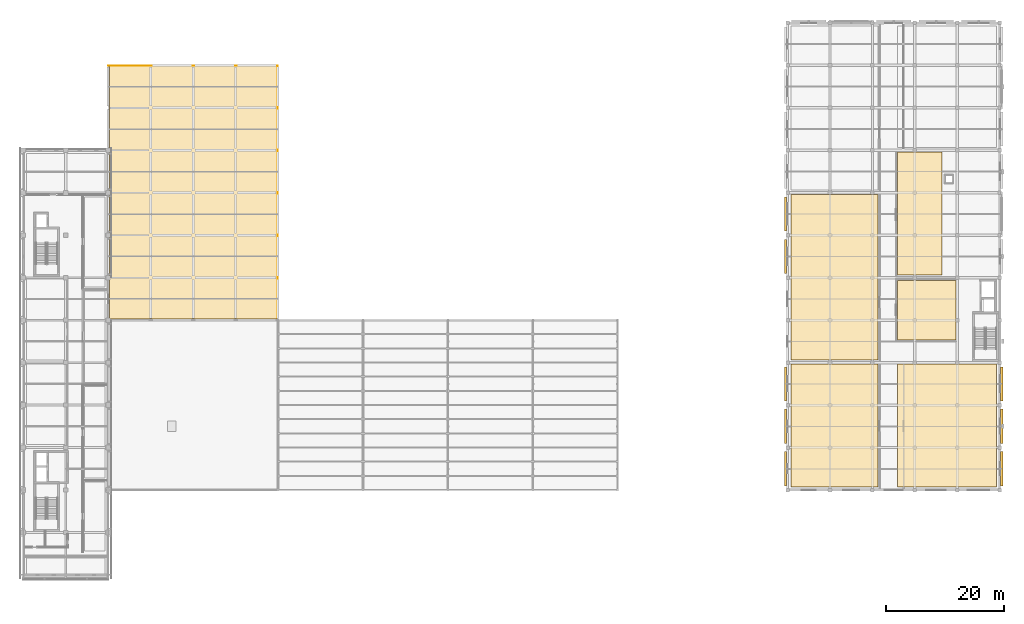
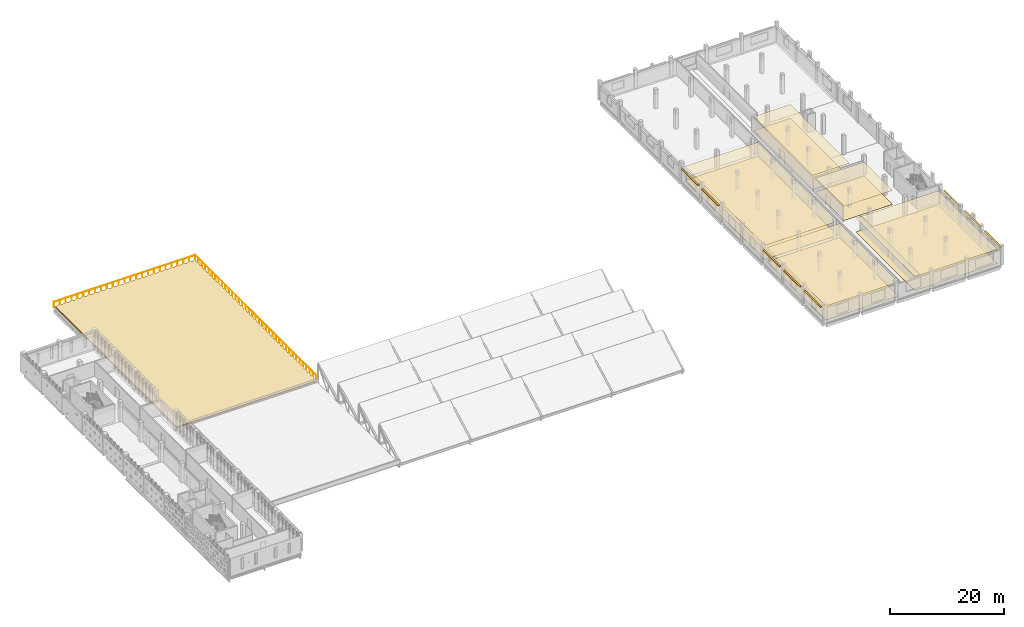
# One storey, part 49 of 51: 11 coverings, 8 shading devices, 1 railing.
"""IFC4 building model written with IfcOpenShell, lengths in metres."""

from ifc_helpers import new_model, si_unit, direction, frame, origin, origin_2d, place, context, subcontext, project, spatial, polyline, rectangle, circle, outline, extrude, material, layer, layer_set, type_object, element, save


model = new_model("IFC4")

# Units and contexts
model_context = context("Model", 3, precision=1e-05, world=origin(), true_north=direction((0.0, 1.0)))
body_context = subcontext(model_context, "Body", "Model", "MODEL_VIEW")
ifc_project = project(units=[si_unit("LENGTHUNIT", "METRE"), si_unit("AREAUNIT", "SQUARE_METRE"), si_unit("VOLUMEUNIT", "CUBIC_METRE"), si_unit("PLANEANGLEUNIT", "RADIAN"), si_unit("MASSUNIT", "GRAM", prefix="KILO")], contexts=[model_context])

# Site, building, storey
site_placement = place(None, origin())
site = spatial("IfcSite", under=ifc_project, at=site_placement, CompositionType="ELEMENT")
building_placement = place(site_placement, origin())
building = spatial("IfcBuilding", under=site, at=building_placement, Name="Valkovuoma Quantum and Materials Research Institute", CompositionType="ELEMENT")
storey_placement = place(building_placement, frame((0.0, 0.0, 17.280029296875)))
storey = spatial("IfcBuildingStorey", under=building, at=storey_placement, Name="L04", CompositionType="ELEMENT", Elevation=17.280029296875)

# Coverings
ifc_material_1 = material(Name="Cleanable acoustic mineral-fibre suspended ceiling", Category="masonry")
ifc_layer_1 = layer(ifc_material_1, 0.02490234375)
ifc_layer_set_1 = layer_set([ifc_layer_1], Name="Cleanable acoustic mineral-fibre suspended ceiling")
covering_type_1 = type_object("IfcCoveringType", Name="Cov-CEIL-01", PredefinedType="CEILING", material=ifc_layer_set_1)
covering_1_placement = place(storey_placement, frame((0.0, 0.0, 3.0)))
element("IfcCovering", 1, at=covering_1_placement, inside=storey, type_object=covering_type_1, Name="L04 acoustic ceiling 0112", PredefinedType="CEILING", context=body_context, shape_type="SweptSolid", body=[
    extrude(outline(polyline([(130.14990234375, 36.550048828125), (144.949951171875, 36.550048828125), (144.949951171875, 57.35009765625), (130.14990234375, 57.35009765625), (130.14990234375, 36.550048828125)])), origin(), (0.0, 0.0, 1.0), 0.02490234375),
])
covering_2_placement = place(storey_placement, frame((0.0, 0.0, 3.0)))
element("IfcCovering", 2, at=covering_2_placement, inside=storey, type_object=covering_type_1, Name="L04 acoustic ceiling 0113", PredefinedType="CEILING", context=body_context, shape_type="SweptSolid", body=[
    extrude(outline(polyline([(130.14990234375, 58.050048828125), (144.949951171875, 58.050048828125), (144.949951171875, 86.14990234375), (130.14990234375, 86.14990234375), (130.14990234375, 58.050048828125)])), origin(), (0.0, 0.0, 1.0), 0.02490234375),
])
covering_3_placement = place(storey_placement, frame((0.0, 0.0, 3.0)))
element("IfcCovering", 3, at=covering_3_placement, inside=storey, type_object=covering_type_1, Name="L04 acoustic ceiling 0115", PredefinedType="CEILING", context=body_context, shape_type="SweptSolid", body=[
    extrude(outline(polyline([(148.25, 36.550048828125), (165.050048828125, 36.550048828125), (165.050048828125, 57.35009765625), (148.25, 57.35009765625), (148.25, 36.550048828125)])), origin(), (0.0, 0.0, 1.0), 0.02490234375),
])
covering_4_placement = place(storey_placement, frame((0.0, 0.0, 3.0)))
element("IfcCovering", 4, at=covering_4_placement, inside=storey, type_object=covering_type_1, Name="L04 acoustic ceiling 0116", PredefinedType="CEILING", context=body_context, shape_type="SweptSolid", body=[
    extrude(outline(polyline([(148.25, 61.449951171875), (158.14990234375, 61.449951171875), (158.14990234375, 71.550048828125), (148.25, 71.550048828125), (148.25, 61.449951171875)])), origin(), (0.0, 0.0, 1.0), 0.02490234375),
])
covering_5_placement = place(storey_placement, frame((0.0, 0.0, 3.0)))
element("IfcCovering", 5, at=covering_5_placement, inside=storey, type_object=covering_type_1, Name="L04 acoustic ceiling 0117", PredefinedType="CEILING", context=body_context, shape_type="SweptSolid", body=[
    extrude(outline(polyline([(148.25, 72.449951171875), (155.75, 72.449951171875), (155.75, 93.35009765625), (148.25, 93.35009765625), (148.25, 72.449951171875)])), origin(), (0.0, 0.0, 1.0), 0.02490234375),
])
ifc_material_2 = material(Name="Seamless dissipative laboratory resin flooring", Category="masonry")
ifc_layer_2 = layer(ifc_material_2, 0.014892578125)
ifc_layer_set_2 = layer_set([ifc_layer_2], Name="Seamless dissipative laboratory resin flooring")
covering_type_2 = type_object("IfcCoveringType", Name="Cov-FLOR-01", PredefinedType="FLOORING", material=ifc_layer_set_2)
covering_6_placement = place(storey_placement, origin())
element("IfcCovering", 6, at=covering_6_placement, inside=storey, type_object=covering_type_2, Name="L04 resin flooring 0112", PredefinedType="FLOORING", context=body_context, shape_type="SweptSolid", body=[
    extrude(outline(polyline([(130.14990234375, 36.550048828125), (144.949951171875, 36.550048828125), (144.949951171875, 57.35009765625), (130.14990234375, 57.35009765625), (130.14990234375, 36.550048828125)])), origin(), (0.0, 0.0, 1.0), 0.014892578125),
])
covering_7_placement = place(storey_placement, origin())
element("IfcCovering", 7, at=covering_7_placement, inside=storey, type_object=covering_type_2, Name="L04 resin flooring 0113", PredefinedType="FLOORING", context=body_context, shape_type="SweptSolid", body=[
    extrude(outline(polyline([(130.14990234375, 58.050048828125), (144.949951171875, 58.050048828125), (144.949951171875, 86.14990234375), (130.14990234375, 86.14990234375), (130.14990234375, 58.050048828125)])), origin(), (0.0, 0.0, 1.0), 0.014892578125),
])
covering_8_placement = place(storey_placement, origin())
element("IfcCovering", 8, at=covering_8_placement, inside=storey, type_object=covering_type_2, Name="L04 resin flooring 0115", PredefinedType="FLOORING", context=body_context, shape_type="SweptSolid", body=[
    extrude(outline(polyline([(148.25, 36.550048828125), (165.050048828125, 36.550048828125), (165.050048828125, 57.35009765625), (148.25, 57.35009765625), (148.25, 36.550048828125)])), origin(), (0.0, 0.0, 1.0), 0.014892578125),
])
covering_9_placement = place(storey_placement, origin())
element("IfcCovering", 9, at=covering_9_placement, inside=storey, type_object=covering_type_2, Name="L04 resin flooring 0116", PredefinedType="FLOORING", context=body_context, shape_type="SweptSolid", body=[
    extrude(outline(polyline([(148.25, 61.449951171875), (158.14990234375, 61.449951171875), (158.14990234375, 71.550048828125), (148.25, 71.550048828125), (148.25, 61.449951171875)])), origin(), (0.0, 0.0, 1.0), 0.014892578125),
])
covering_10_placement = place(storey_placement, origin())
element("IfcCovering", 10, at=covering_10_placement, inside=storey, type_object=covering_type_2, Name="L04 resin flooring 0117", PredefinedType="FLOORING", context=body_context, shape_type="SweptSolid", body=[
    extrude(outline(polyline([(148.25, 72.449951171875), (155.75, 72.449951171875), (155.75, 93.35009765625), (148.25, 93.35009765625), (148.25, 72.449951171875)])), origin(), (0.0, 0.0, 1.0), 0.014892578125),
])
ifc_material_3 = material(Name="Extensive Nordic sedum and birch planted roof-garden build-up", Category="masonry")
ifc_layer_3 = layer(ifc_material_3, 0.25)
ifc_layer_set_3 = layer_set([ifc_layer_3], Name="Extensive Nordic sedum and birch planted roof-garden build-up")
covering_type_3 = type_object("IfcCoveringType", Name="Cov-ROOF-GDN", PredefinedType="ROOFING", material=ifc_layer_set_3)
covering_11_placement = place(storey_placement, origin())
element("IfcCovering", 11, at=covering_11_placement, inside=storey, type_object=covering_type_3, Name="L04 roof covering GDN-CLEAN", PredefinedType="ROOFING", context=body_context, shape_type="SweptSolid", body=[
    extrude(outline(polyline([(14.60009765625, 65.0), (43.0, 65.0), (43.0, 107.800048828125), (14.60009765625, 107.800048828125), (14.60009765625, 65.0)])), origin(), (0.0, 0.0, 1.0), 0.25),
])

# Railing
ifc_material_4 = material(Name="Hot-dip galvanised and powder-coated steel guardrail", Category="steel")
railing_type = type_object("IfcRailingType", Name="Rail-GRD-EXT", PredefinedType="BALUSTRADE", material=ifc_material_4)
railing_placement = place(storey_placement, frame((14.449951171875, 107.949951171875, 0.0)))
element("IfcRailing", 12, at=railing_placement, inside=storey, type_object=railing_type, Name="L04 perimeter balustrade 02", PredefinedType="BALUSTRADE", context=body_context, shape_type="SweptSolid", body=[
    extrude(circle(Radius=0.02392578125, at=origin_2d()), frame((0.0, 0.0, 1.17578125), z_axis=(1.0, 0.0, 0.0), x_axis=(0.0, 1.0, 0.0)), (0.0, 0.0, 1.0), 28.699951171875),
    extrude(circle(Radius=0.02392578125, at=origin_2d()), frame((28.699951171875, 0.0, 1.17578125), z_axis=(0.0, -1.0, 0.0), x_axis=(1.0, 0.0, 0.0)), (0.0, 0.0, 1.0), 42.699951171875),
    extrude(circle(Radius=0.02099609375, at=origin_2d()), origin(), (0.0, 0.0, 1.0), 1.15185546875),
    extrude(circle(Radius=0.02099609375, at=origin_2d()), frame((1.19580078125, 0.0, 0.0)), (0.0, 0.0, 1.0), 1.15185546875),
    extrude(circle(Radius=0.02099609375, at=origin_2d()), frame((2.3916015625, 0.0, 0.0)), (0.0, 0.0, 1.0), 1.15185546875),
    extrude(circle(Radius=0.02099609375, at=origin_2d()), frame((3.58740234375, 0.0, 0.0)), (0.0, 0.0, 1.0), 1.15185546875),
    extrude(circle(Radius=0.02099609375, at=origin_2d()), frame((4.783203125, 0.0, 0.0)), (0.0, 0.0, 1.0), 1.15185546875),
    extrude(circle(Radius=0.02099609375, at=origin_2d()), frame((5.979248046875, 0.0, 0.0)), (0.0, 0.0, 1.0), 1.15185546875),
    extrude(circle(Radius=0.02099609375, at=origin_2d()), frame((7.175048828125, 0.0, 0.0)), (0.0, 0.0, 1.0), 1.15185546875),
    extrude(circle(Radius=0.02099609375, at=origin_2d()), frame((8.370849609375, 0.0, 0.0)), (0.0, 0.0, 1.0), 1.15185546875),
    extrude(circle(Radius=0.02099609375, at=origin_2d()), frame((9.566650390625, 0.0, 0.0)), (0.0, 0.0, 1.0), 1.15185546875),
    extrude(circle(Radius=0.02099609375, at=origin_2d()), frame((10.762451171875, 0.0, 0.0)), (0.0, 0.0, 1.0), 1.15185546875),
    extrude(circle(Radius=0.02099609375, at=origin_2d()), frame((11.958251953125, 0.0, 0.0)), (0.0, 0.0, 1.0), 1.15185546875),
    extrude(circle(Radius=0.02099609375, at=origin_2d()), frame((13.154052734375, 0.0, 0.0)), (0.0, 0.0, 1.0), 1.15185546875),
    extrude(circle(Radius=0.02099609375, at=origin_2d()), frame((14.35009765625, 0.0, 0.0)), (0.0, 0.0, 1.0), 1.15185546875),
    extrude(circle(Radius=0.02099609375, at=origin_2d()), frame((15.5458984375, 0.0, 0.0)), (0.0, 0.0, 1.0), 1.15185546875),
    extrude(circle(Radius=0.02099609375, at=origin_2d()), frame((16.74169921875, 0.0, 0.0)), (0.0, 0.0, 1.0), 1.15185546875),
    extrude(circle(Radius=0.02099609375, at=origin_2d()), frame((17.9375, 0.0, 0.0)), (0.0, 0.0, 1.0), 1.15185546875),
    extrude(circle(Radius=0.02099609375, at=origin_2d()), frame((19.13330078125, 0.0, 0.0)), (0.0, 0.0, 1.0), 1.15185546875),
    extrude(circle(Radius=0.02099609375, at=origin_2d()), frame((20.3291015625, 0.0, 0.0)), (0.0, 0.0, 1.0), 1.15185546875),
    extrude(circle(Radius=0.02099609375, at=origin_2d()), frame((21.52490234375, 0.0, 0.0)), (0.0, 0.0, 1.0), 1.15185546875),
    extrude(circle(Radius=0.02099609375, at=origin_2d()), frame((22.720703125, 0.0, 0.0)), (0.0, 0.0, 1.0), 1.15185546875),
    extrude(circle(Radius=0.02099609375, at=origin_2d()), frame((23.91650390625, 0.0, 0.0)), (0.0, 0.0, 1.0), 1.15185546875),
    extrude(circle(Radius=0.02099609375, at=origin_2d()), frame((25.112548828125, 0.0, 0.0)), (0.0, 0.0, 1.0), 1.15185546875),
    extrude(circle(Radius=0.02099609375, at=origin_2d()), frame((26.308349609375, 0.0, 0.0)), (0.0, 0.0, 1.0), 1.15185546875),
    extrude(circle(Radius=0.02099609375, at=origin_2d()), frame((27.504150390625, 0.0, 0.0)), (0.0, 0.0, 1.0), 1.15185546875),
    extrude(circle(Radius=0.02099609375, at=origin_2d()), frame((28.699951171875, 0.0, 0.0)), (0.0, 0.0, 1.0), 1.15185546875),
    extrude(circle(Radius=0.02099609375, at=origin_2d()), frame((28.699951171875, -1.18603515625, 0.0)), (0.0, 0.0, 1.0), 1.15185546875),
    extrude(circle(Radius=0.02099609375, at=origin_2d()), frame((28.699951171875, -2.372314453125, 0.0)), (0.0, 0.0, 1.0), 1.15185546875),
    extrude(circle(Radius=0.02099609375, at=origin_2d()), frame((28.699951171875, -3.558349609375, 0.0)), (0.0, 0.0, 1.0), 1.15185546875),
    extrude(circle(Radius=0.02099609375, at=origin_2d()), frame((28.699951171875, -4.744384765625, 0.0)), (0.0, 0.0, 1.0), 1.15185546875),
    extrude(circle(Radius=0.02099609375, at=origin_2d()), frame((28.699951171875, -5.9306640625, 0.0)), (0.0, 0.0, 1.0), 1.15185546875),
    extrude(circle(Radius=0.02099609375, at=origin_2d()), frame((28.699951171875, -7.11669921875, 0.0)), (0.0, 0.0, 1.0), 1.15185546875),
    extrude(circle(Radius=0.02099609375, at=origin_2d()), frame((28.699951171875, -8.302734375, 0.0)), (0.0, 0.0, 1.0), 1.15185546875),
    extrude(circle(Radius=0.02099609375, at=origin_2d()), frame((28.699951171875, -9.48876953125, 0.0)), (0.0, 0.0, 1.0), 1.15185546875),
    extrude(circle(Radius=0.02099609375, at=origin_2d()), frame((28.699951171875, -10.675048828125, 0.0)), (0.0, 0.0, 1.0), 1.15185546875),
    extrude(circle(Radius=0.02099609375, at=origin_2d()), frame((28.699951171875, -11.861083984375, 0.0)), (0.0, 0.0, 1.0), 1.15185546875),
    extrude(circle(Radius=0.02099609375, at=origin_2d()), frame((28.699951171875, -13.047119140625, 0.0)), (0.0, 0.0, 1.0), 1.15185546875),
    extrude(circle(Radius=0.02099609375, at=origin_2d()), frame((28.699951171875, -14.2333984375, 0.0)), (0.0, 0.0, 1.0), 1.15185546875),
    extrude(circle(Radius=0.02099609375, at=origin_2d()), frame((28.699951171875, -15.41943359375, 0.0)), (0.0, 0.0, 1.0), 1.15185546875),
    extrude(circle(Radius=0.02099609375, at=origin_2d()), frame((28.699951171875, -16.60546875, 0.0)), (0.0, 0.0, 1.0), 1.15185546875),
    extrude(circle(Radius=0.02099609375, at=origin_2d()), frame((28.699951171875, -17.791748046875, 0.0)), (0.0, 0.0, 1.0), 1.15185546875),
    extrude(circle(Radius=0.02099609375, at=origin_2d()), frame((28.699951171875, -18.977783203125, 0.0)), (0.0, 0.0, 1.0), 1.15185546875),
    extrude(circle(Radius=0.02099609375, at=origin_2d()), frame((28.699951171875, -20.163818359375, 0.0)), (0.0, 0.0, 1.0), 1.15185546875),
    extrude(circle(Radius=0.02099609375, at=origin_2d()), frame((28.699951171875, -21.35009765625, 0.0)), (0.0, 0.0, 1.0), 1.15185546875),
    extrude(circle(Radius=0.02099609375, at=origin_2d()), frame((28.699951171875, -22.5361328125, 0.0)), (0.0, 0.0, 1.0), 1.15185546875),
    extrude(circle(Radius=0.02099609375, at=origin_2d()), frame((28.699951171875, -23.72216796875, 0.0)), (0.0, 0.0, 1.0), 1.15185546875),
    extrude(circle(Radius=0.02099609375, at=origin_2d()), frame((28.699951171875, -24.908203125, 0.0)), (0.0, 0.0, 1.0), 1.15185546875),
    extrude(circle(Radius=0.02099609375, at=origin_2d()), frame((28.699951171875, -26.094482421875, 0.0)), (0.0, 0.0, 1.0), 1.15185546875),
    extrude(circle(Radius=0.02099609375, at=origin_2d()), frame((28.699951171875, -27.280517578125, 0.0)), (0.0, 0.0, 1.0), 1.15185546875),
    extrude(circle(Radius=0.02099609375, at=origin_2d()), frame((28.699951171875, -28.466552734375, 0.0)), (0.0, 0.0, 1.0), 1.15185546875),
    extrude(circle(Radius=0.02099609375, at=origin_2d()), frame((28.699951171875, -29.65283203125, 0.0)), (0.0, 0.0, 1.0), 1.15185546875),
    extrude(circle(Radius=0.02099609375, at=origin_2d()), frame((28.699951171875, -30.8388671875, 0.0)), (0.0, 0.0, 1.0), 1.15185546875),
    extrude(circle(Radius=0.02099609375, at=origin_2d()), frame((28.699951171875, -32.02490234375, 0.0)), (0.0, 0.0, 1.0), 1.15185546875),
    extrude(circle(Radius=0.02099609375, at=origin_2d()), frame((28.699951171875, -33.211181640625, 0.0)), (0.0, 0.0, 1.0), 1.15185546875),
    extrude(circle(Radius=0.02099609375, at=origin_2d()), frame((28.699951171875, -34.397216796875, 0.0)), (0.0, 0.0, 1.0), 1.15185546875),
    extrude(circle(Radius=0.02099609375, at=origin_2d()), frame((28.699951171875, -35.583251953125, 0.0)), (0.0, 0.0, 1.0), 1.15185546875),
    extrude(circle(Radius=0.02099609375, at=origin_2d()), frame((28.699951171875, -36.769287109375, 0.0)), (0.0, 0.0, 1.0), 1.15185546875),
    extrude(circle(Radius=0.02099609375, at=origin_2d()), frame((28.699951171875, -37.95556640625, 0.0)), (0.0, 0.0, 1.0), 1.15185546875),
    extrude(circle(Radius=0.02099609375, at=origin_2d()), frame((28.699951171875, -39.1416015625, 0.0)), (0.0, 0.0, 1.0), 1.15185546875),
    extrude(circle(Radius=0.02099609375, at=origin_2d()), frame((28.699951171875, -40.32763671875, 0.0)), (0.0, 0.0, 1.0), 1.15185546875),
    extrude(circle(Radius=0.02099609375, at=origin_2d()), frame((28.699951171875, -41.513916015625, 0.0)), (0.0, 0.0, 1.0), 1.15185546875),
    extrude(circle(Radius=0.02099609375, at=origin_2d()), frame((28.699951171875, -42.699951171875, 0.0)), (0.0, 0.0, 1.0), 1.15185546875),
])

# Shading devices
ifc_material_5 = material(Name="Powder-coated white perforated architectural aluminium panel", Category="aluminium")
ifc_layer_4 = layer(ifc_material_5, 0.050048828125)
ifc_layer_set_4 = layer_set([ifc_layer_4], Name="Powder-coated white perforated architectural aluminium panel")
shading_device_type_1 = type_object("IfcShadingDeviceType", Name="Screen-SCR-DENSE", PredefinedType="JALOUSIE", material=ifc_layer_set_4)
for number, where, z_axis, x_axis, name in (
    (13, (165.919921875, 39.60009765625, 3.010009765625), (0.0, 0.0, 1.0), (1.0, 0.0, 0.0), "L04 wet-lab solar sunshade E-0070"),
    (14, (129.280029296875, 39.60009765625, 3.010009765625), (0.0, 0.0, 1.0), (1.0, 0.0, 0.0), "L04 wet-lab solar sunshade W-0071"),
    (15, (129.280029296875, 82.800048828125, 3.010009765625), (0.0, 0.0, 1.0), (1.0, 0.0, 0.0), "L04 wet-lab solar sunshade W-0079"),
):
    element("IfcShadingDevice", number, at=place(storey_placement, frame(where, z_axis=z_axis, x_axis=x_axis)), inside=storey, type_object=shading_device_type_1, Name=name, PredefinedType="JALOUSIE", context=body_context, shape_type="SweptSolid", body=[
        extrude(rectangle(XDim=0.360107421875, YDim=5.800048828125, at=origin_2d()), origin(), (0.0, 0.0, 1.0), 0.080078125),
    ])
ifc_material_6 = material(Name="Powder-coated white perforated architectural aluminium panel", Category="aluminium")
ifc_layer_5 = layer(ifc_material_6, 0.050048828125)
ifc_layer_set_5 = layer_set([ifc_layer_5], Name="Powder-coated white perforated architectural aluminium panel")
shading_device_type_2 = type_object("IfcShadingDeviceType", Name="Screen-SCR-MID", PredefinedType="JALOUSIE", material=ifc_layer_set_5)
for number, where, z_axis, x_axis, name in (
    (16, (165.919921875, 46.800048828125, 3.010009765625), (0.0, 0.0, 1.0), (1.0, 0.0, 0.0), "L04 wet-lab solar sunshade E-0072"),
    (17, (129.280029296875, 46.800048828125, 3.010009765625), (0.0, 0.0, 1.0), (1.0, 0.0, 0.0), "L04 wet-lab solar sunshade W-0073"),
):
    element("IfcShadingDevice", number, at=place(storey_placement, frame(where, z_axis=z_axis, x_axis=x_axis)), inside=storey, type_object=shading_device_type_2, Name=name, PredefinedType="JALOUSIE", context=body_context, shape_type="SweptSolid", body=[
        extrude(rectangle(XDim=0.360107421875, YDim=5.800048828125, at=origin_2d()), origin(), (0.0, 0.0, 1.0), 0.080078125),
    ])
ifc_material_7 = material(Name="Powder-coated white perforated architectural aluminium panel", Category="aluminium")
ifc_layer_6 = layer(ifc_material_7, 0.050048828125)
ifc_layer_set_6 = layer_set([ifc_layer_6], Name="Powder-coated white perforated architectural aluminium panel")
shading_device_type_3 = type_object("IfcShadingDeviceType", Name="Screen-SCR-SPARSE", PredefinedType="JALOUSIE", material=ifc_layer_set_6)
for number, where, z_axis, x_axis, name in (
    (18, (165.919921875, 54.0, 3.010009765625), (0.0, 0.0, 1.0), (1.0, 0.0, 0.0), "L04 wet-lab solar sunshade E-0074"),
    (19, (129.280029296875, 54.0, 3.010009765625), (0.0, 0.0, 1.0), (1.0, 0.0, 0.0), "L04 wet-lab solar sunshade W-0075"),
    (20, (129.280029296875, 75.60009765625, 3.010009765625), (0.0, 0.0, 1.0), (1.0, 0.0, 0.0), "L04 wet-lab solar sunshade W-0077"),
):
    element("IfcShadingDevice", number, at=place(storey_placement, frame(where, z_axis=z_axis, x_axis=x_axis)), inside=storey, type_object=shading_device_type_3, Name=name, PredefinedType="JALOUSIE", context=body_context, shape_type="SweptSolid", body=[
        extrude(rectangle(XDim=0.360107421875, YDim=5.800048828125, at=origin_2d()), origin(), (0.0, 0.0, 1.0), 0.080078125),
    ])

save(model, "model.ifc")
